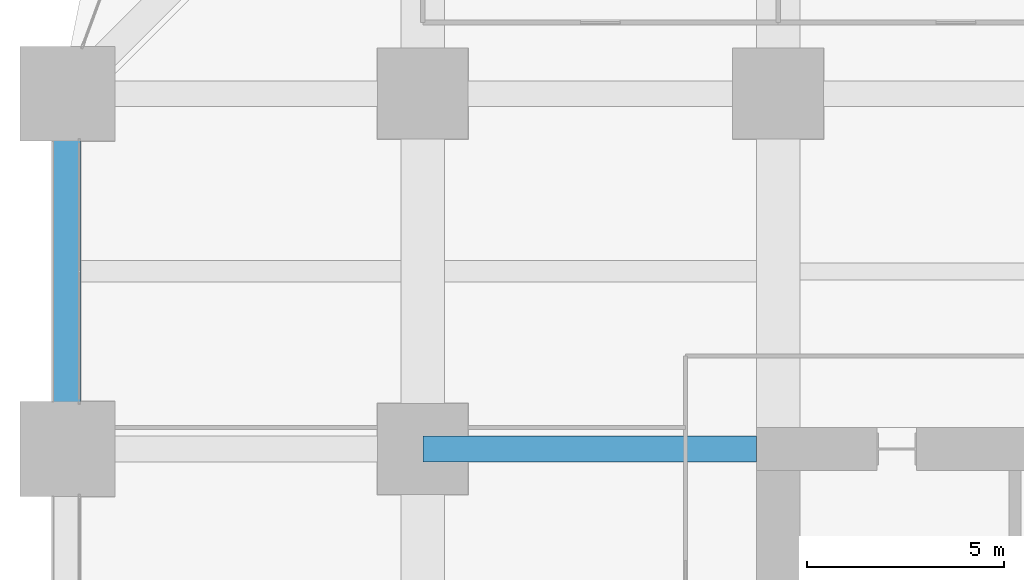
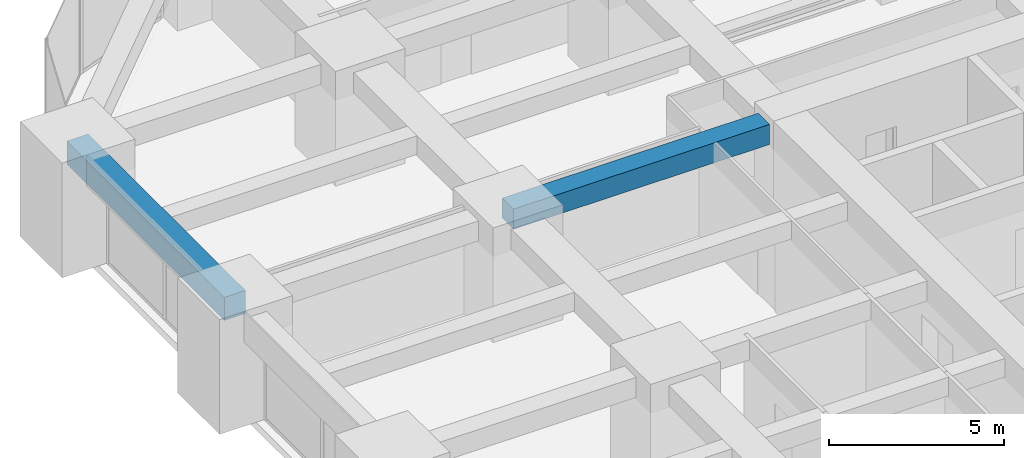
# One storey, part 24 of 45: 2 beams.
"""IFC4 building model written with IfcOpenShell, lengths in metres."""

from ifc_helpers import new_model, si_unit, direction, frame, origin, origin_2d, place, context, subcontext, project, spatial, rectangle, extrude, material, material_profile, profile_set, type_object, element, save


model = new_model("IFC4")

# Units and contexts
model_context = context("Model", 3, precision=1e-05, world=origin(), true_north=direction((0.0, 1.0)))
body_context = subcontext(model_context, "Body", "Model", "MODEL_VIEW")
ifc_project = project(units=[si_unit("LENGTHUNIT", "METRE"), si_unit("AREAUNIT", "SQUARE_METRE"), si_unit("VOLUMEUNIT", "CUBIC_METRE"), si_unit("PLANEANGLEUNIT", "RADIAN"), si_unit("MASSUNIT", "GRAM", prefix="KILO")], contexts=[model_context])

# Site, building, storey
site_placement = place(None, origin())
site = spatial("IfcSite", under=ifc_project, at=site_placement, CompositionType="ELEMENT")
building_placement = place(site_placement, origin())
building = spatial("IfcBuilding", under=site, at=building_placement, Name="Zorevar Civic Tower", CompositionType="ELEMENT")
storey_placement = place(building_placement, frame((0.0, 0.0, 27.800048828125)))
storey = spatial("IfcBuildingStorey", under=building, at=storey_placement, Name="L06", CompositionType="ELEMENT", Elevation=27.800048828125)

# Beams
ifc_material_1 = material(Name="Concrete C50/60", Category="concrete")
ifc_material_profile_1 = material_profile(ifc_material_1, rectangle(XDim=0.64990234375, YDim=0.699951171875, at=origin_2d()), Name="RC 650x700")
ifc_profile_set_1 = profile_set([ifc_material_profile_1], Name="Concrete C50/60")
beam_type_1 = type_object("IfcBeamType", Name="Beam RC 650x700", PredefinedType="BEAM", material=ifc_profile_set_1)
beam_1_placement = place(storey_placement, frame((9.0, 36.0, 3.39990234375), z_axis=(1.0, 0.0, 0.0), x_axis=(0.0, 1.0, 0.0)))
element("IfcBeam", 1, at=beam_1_placement, inside=storey, type_object=beam_type_1, Name="Girder L07", PredefinedType="BEAM", context=body_context, shape_type="SweptSolid", body=[
    extrude(rectangle(XDim=0.64990234375, YDim=0.699951171875, at=origin_2d()), origin(), (0.0, 0.0, 1.0), 8.449951171875),
])
ifc_material_2 = material(Name="Concrete C50/60", Category="concrete")
ifc_material_profile_2 = material_profile(ifc_material_2, rectangle(XDim=0.699951171875, YDim=0.800048828125, at=origin_2d()), Name="RC 700x800")
ifc_profile_set_2 = profile_set([ifc_material_profile_2], Name="Concrete C50/60")
beam_type_2 = type_object("IfcBeamType", Name="Edge beam RC 700x800", PredefinedType="SPANDREL", material=ifc_profile_set_2)
beam_2_placement = place(storey_placement, frame((0.0, 36.0, 3.349853515625), z_axis=(0.0, 1.0, 0.0), x_axis=(-1.0, 0.0, 0.0)))
element("IfcBeam", 2, at=beam_2_placement, inside=storey, type_object=beam_type_2, Name="Edge beam L07", PredefinedType="SPANDREL", context=body_context, shape_type="SweptSolid", body=[
    extrude(rectangle(XDim=0.699951171875, YDim=0.800048828125, at=origin_2d()), origin(), (0.0, 0.0, 1.0), 9.0),
])

save(model, "model.ifc")
